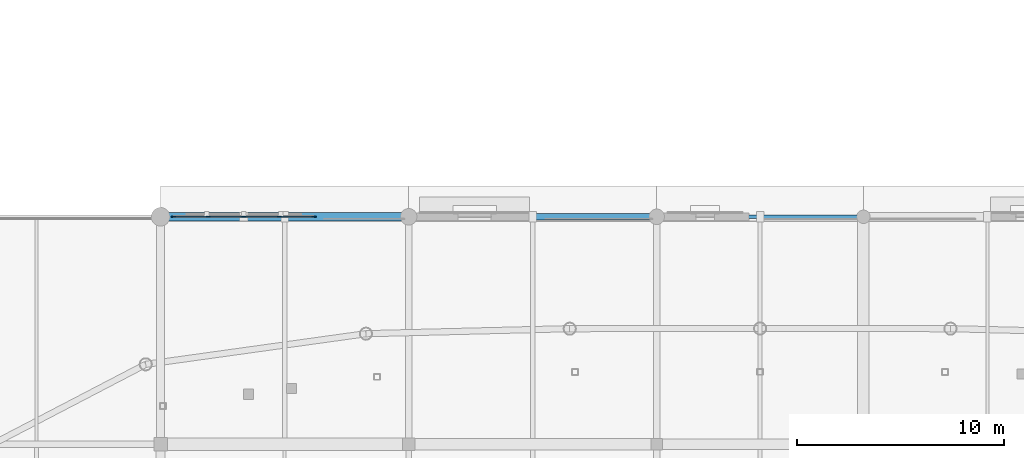
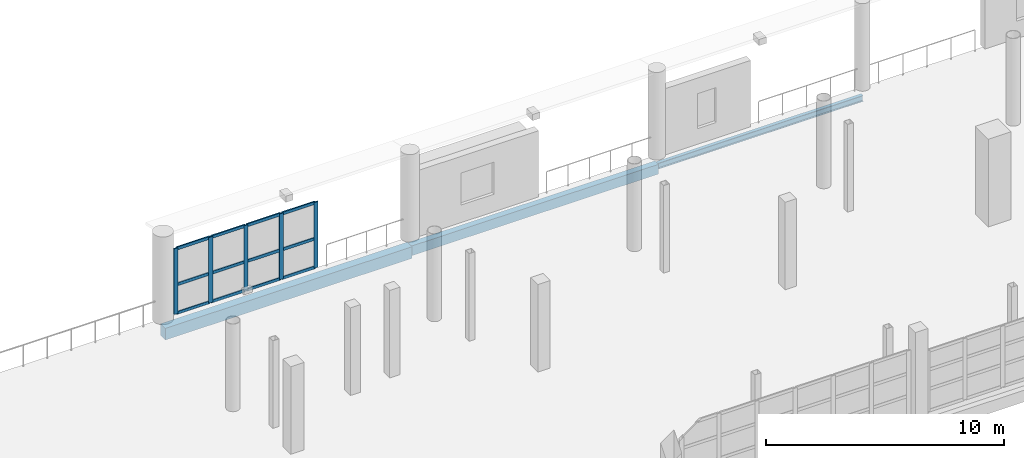
# One storey, part 48 of 118: 17 members, 3 beams, 1 element without a shape of its own.
"""IFC4 building model written with IfcOpenShell, lengths in metres."""

from ifc_helpers import new_model, si_unit, direction, frame, origin, origin_2d, place, context, subcontext, project, spatial, rectangle, hollow_rectangle, i_section, extrude, material, material_profile, profile_set, type_object, element, aggregate, save


model = new_model("IFC4")

# Units and contexts
model_context = context("Model", 3, precision=1e-05, world=origin(), true_north=direction((0.0, 1.0)))
body_context = subcontext(model_context, "Body", "Model", "MODEL_VIEW")
ifc_project = project(units=[si_unit("LENGTHUNIT", "METRE"), si_unit("AREAUNIT", "SQUARE_METRE"), si_unit("VOLUMEUNIT", "CUBIC_METRE"), si_unit("PLANEANGLEUNIT", "RADIAN"), si_unit("MASSUNIT", "GRAM", prefix="KILO")], contexts=[model_context])

# Site, building, storey
site_placement = place(None, origin())
site = spatial("IfcSite", under=ifc_project, at=site_placement, CompositionType="ELEMENT")
building_placement = place(site_placement, origin())
building = spatial("IfcBuilding", under=site, at=building_placement, Name="Luwafu Chhajja Arena", CompositionType="ELEMENT")
storey_placement = place(building_placement, frame((0.0, 0.0, 10.199951171875)))
storey = spatial("IfcBuildingStorey", under=building, at=storey_placement, Name="L02", CompositionType="ELEMENT", Elevation=10.199951171875)

# Curtain wall, members
ifc_material_1 = material(Name="Anodised bronze aluminium", Category="aluminium")
curtain_wall_type = type_object("IfcCurtainWallType", Name="VIP Club Terrace Curtain Wall", PredefinedType="USERDEFINED", material=ifc_material_1)
curtain_wall_placement = place(storey_placement, origin())
curtain_wall = element("IfcCurtainWall", 1, at=curtain_wall_placement, inside=storey, type_object=curtain_wall_type, Name="L02 Curtain Wall CWG-L02-H06_09", ObjectType="CURTAIN WALL", PredefinedType="USERDEFINED")
ifc_material_profile_1 = material_profile(ifc_material_1, rectangle(XDim=0.06494140625, YDim=0.199951171875, at=origin_2d()), Name="CWM 65x200")
ifc_profile_set_1 = profile_set([ifc_material_profile_1], Name="Anodised bronze aluminium")
member_type_1 = type_object("IfcMemberType", Name="Bronze Curtain Wall Mullion 65x200", PredefinedType="MULLION", material=ifc_profile_set_1)
member_1_placement = place(storey_placement, frame((70.62255859375, 99.0, 0.030029296875), z_axis=(0.0, 0.0, 1.0), x_axis=(0.0, 1.0, 0.0)))
member_1 = element("IfcMember", 2, at=member_1_placement, type_object=member_type_1, Name="CW-10 mullion 1", PredefinedType="MULLION", context=body_context, shape_type="SweptSolid", body=[
    extrude(rectangle(XDim=0.06494140625, YDim=0.199951171875, at=origin_2d()), origin(), (0.0, 0.0, 1.0), 3.375),
])
member_2_placement = place(storey_placement, frame((72.306884765625, 99.0, 0.030029296875), z_axis=(0.0, 0.0, 1.0), x_axis=(0.0, 1.0, 0.0)))
member_2 = element("IfcMember", 3, at=member_2_placement, type_object=member_type_1, Name="CW-10 mullion 2", PredefinedType="MULLION", context=body_context, shape_type="SweptSolid", body=[
    extrude(rectangle(XDim=0.06494140625, YDim=0.199951171875, at=origin_2d()), origin(), (0.0, 0.0, 1.0), 3.375),
])
member_3_placement = place(storey_placement, frame((74.023681640625, 99.0, 0.030029296875), z_axis=(0.0, 0.0, 1.0), x_axis=(0.0, 1.0, 0.0)))
member_3 = element("IfcMember", 4, at=member_3_placement, type_object=member_type_1, Name="CW-10 mullion 3", PredefinedType="MULLION", context=body_context, shape_type="SweptSolid", body=[
    extrude(rectangle(XDim=0.06494140625, YDim=0.199951171875, at=origin_2d()), origin(), (0.0, 0.0, 1.0), 3.375),
])
member_4_placement = place(storey_placement, frame((75.74072265625, 99.0, 0.030029296875), z_axis=(0.0, 0.0, 1.0), x_axis=(0.0, 1.0, 0.0)))
member_4 = element("IfcMember", 5, at=member_4_placement, type_object=member_type_1, Name="CW-10 mullion 4", PredefinedType="MULLION", context=body_context, shape_type="SweptSolid", body=[
    extrude(rectangle(XDim=0.06494140625, YDim=0.199951171875, at=origin_2d()), origin(), (0.0, 0.0, 1.0), 3.375),
])
member_5_placement = place(storey_placement, frame((77.425048828125, 99.0, 0.030029296875), z_axis=(0.0, 0.0, 1.0), x_axis=(0.0, 1.0, 0.0)))
member_5 = element("IfcMember", 6, at=member_5_placement, type_object=member_type_1, Name="CW-10 mullion 5", PredefinedType="MULLION", context=body_context, shape_type="SweptSolid", body=[
    extrude(rectangle(XDim=0.06494140625, YDim=0.199951171875, at=origin_2d()), origin(), (0.0, 0.0, 1.0), 3.375),
])
ifc_material_profile_2 = material_profile(ifc_material_1, rectangle(XDim=0.06494140625, YDim=0.14990234375, at=origin_2d()), Name="CWT 65x150")
ifc_profile_set_2 = profile_set([ifc_material_profile_2], Name="Anodised bronze aluminium")
member_type_2 = type_object("IfcMemberType", Name="Bronze Curtain Wall Transom 65x150", PredefinedType="USERDEFINED", material=ifc_profile_set_2)
member_6_placement = place(storey_placement, frame((70.655029296875, 99.0, 0.0625), z_axis=(1.0, 0.0, 0.0), x_axis=(0.0, 1.0, 0.0)))
member_6 = element("IfcMember", 7, at=member_6_placement, type_object=member_type_2, Name="CW-10 transom 1.1", ObjectType="TRANSOM", PredefinedType="USERDEFINED", context=body_context, shape_type="SweptSolid", body=[
    extrude(rectangle(XDim=0.06494140625, YDim=0.14990234375, at=origin_2d()), origin(), (0.0, 0.0, 1.0), 1.619384765625),
])
member_7_placement = place(storey_placement, frame((70.655029296875, 99.0, 1.532470703125), z_axis=(1.0, 0.0, 0.0), x_axis=(0.0, 1.0, 0.0)))
member_7 = element("IfcMember", 8, at=member_7_placement, type_object=member_type_2, Name="CW-10 transom 1.2", ObjectType="TRANSOM", PredefinedType="USERDEFINED", context=body_context, shape_type="SweptSolid", body=[
    extrude(rectangle(XDim=0.06494140625, YDim=0.14990234375, at=origin_2d()), origin(), (0.0, 0.0, 1.0), 1.619384765625),
])
member_8_placement = place(storey_placement, frame((70.655029296875, 99.0, 3.37255859375), z_axis=(1.0, 0.0, 0.0), x_axis=(0.0, 1.0, 0.0)))
member_8 = element("IfcMember", 9, at=member_8_placement, type_object=member_type_2, Name="CW-10 transom 1.3", ObjectType="TRANSOM", PredefinedType="USERDEFINED", context=body_context, shape_type="SweptSolid", body=[
    extrude(rectangle(XDim=0.06494140625, YDim=0.14990234375, at=origin_2d()), origin(), (0.0, 0.0, 1.0), 1.619384765625),
])
member_9_placement = place(storey_placement, frame((72.33935546875, 99.0, 0.0625), z_axis=(1.0, 0.0, 0.0), x_axis=(0.0, 1.0, 0.0)))
member_9 = element("IfcMember", 10, at=member_9_placement, type_object=member_type_2, Name="CW-10 transom 2.1", ObjectType="TRANSOM", PredefinedType="USERDEFINED", context=body_context, shape_type="SweptSolid", body=[
    extrude(rectangle(XDim=0.06494140625, YDim=0.14990234375, at=origin_2d()), origin(), (0.0, 0.0, 1.0), 1.65185546875),
])
member_10_placement = place(storey_placement, frame((72.33935546875, 99.0, 1.532470703125), z_axis=(1.0, 0.0, 0.0), x_axis=(0.0, 1.0, 0.0)))
member_10 = element("IfcMember", 11, at=member_10_placement, type_object=member_type_2, Name="CW-10 transom 2.2", ObjectType="TRANSOM", PredefinedType="USERDEFINED", context=body_context, shape_type="SweptSolid", body=[
    extrude(rectangle(XDim=0.06494140625, YDim=0.14990234375, at=origin_2d()), origin(), (0.0, 0.0, 1.0), 1.65185546875),
])
member_11_placement = place(storey_placement, frame((72.33935546875, 99.0, 3.37255859375), z_axis=(1.0, 0.0, 0.0), x_axis=(0.0, 1.0, 0.0)))
member_11 = element("IfcMember", 12, at=member_11_placement, type_object=member_type_2, Name="CW-10 transom 2.3", ObjectType="TRANSOM", PredefinedType="USERDEFINED", context=body_context, shape_type="SweptSolid", body=[
    extrude(rectangle(XDim=0.06494140625, YDim=0.14990234375, at=origin_2d()), origin(), (0.0, 0.0, 1.0), 1.65185546875),
])
member_12_placement = place(storey_placement, frame((74.05615234375, 99.0, 0.0625), z_axis=(1.0, 0.0, 0.0), x_axis=(0.0, 1.0, 0.0)))
member_12 = element("IfcMember", 13, at=member_12_placement, type_object=member_type_2, Name="CW-10 transom 3.1", ObjectType="TRANSOM", PredefinedType="USERDEFINED", context=body_context, shape_type="SweptSolid", body=[
    extrude(rectangle(XDim=0.06494140625, YDim=0.14990234375, at=origin_2d()), origin(), (0.0, 0.0, 1.0), 1.65185546875),
])
member_13_placement = place(storey_placement, frame((74.05615234375, 99.0, 1.532470703125), z_axis=(1.0, 0.0, 0.0), x_axis=(0.0, 1.0, 0.0)))
member_13 = element("IfcMember", 14, at=member_13_placement, type_object=member_type_2, Name="CW-10 transom 3.2", ObjectType="TRANSOM", PredefinedType="USERDEFINED", context=body_context, shape_type="SweptSolid", body=[
    extrude(rectangle(XDim=0.06494140625, YDim=0.14990234375, at=origin_2d()), origin(), (0.0, 0.0, 1.0), 1.65185546875),
])
member_14_placement = place(storey_placement, frame((74.05615234375, 99.0, 3.37255859375), z_axis=(1.0, 0.0, 0.0), x_axis=(0.0, 1.0, 0.0)))
member_14 = element("IfcMember", 15, at=member_14_placement, type_object=member_type_2, Name="CW-10 transom 3.3", ObjectType="TRANSOM", PredefinedType="USERDEFINED", context=body_context, shape_type="SweptSolid", body=[
    extrude(rectangle(XDim=0.06494140625, YDim=0.14990234375, at=origin_2d()), origin(), (0.0, 0.0, 1.0), 1.65185546875),
])
member_15_placement = place(storey_placement, frame((75.773193359375, 99.0, 0.0625), z_axis=(1.0, 0.0, 0.0), x_axis=(0.0, 1.0, 0.0)))
member_15 = element("IfcMember", 16, at=member_15_placement, type_object=member_type_2, Name="CW-10 transom 4.1", ObjectType="TRANSOM", PredefinedType="USERDEFINED", context=body_context, shape_type="SweptSolid", body=[
    extrude(rectangle(XDim=0.06494140625, YDim=0.14990234375, at=origin_2d()), origin(), (0.0, 0.0, 1.0), 1.619384765625),
])
member_16_placement = place(storey_placement, frame((75.773193359375, 99.0, 1.532470703125), z_axis=(1.0, 0.0, 0.0), x_axis=(0.0, 1.0, 0.0)))
member_16 = element("IfcMember", 17, at=member_16_placement, type_object=member_type_2, Name="CW-10 transom 4.2", ObjectType="TRANSOM", PredefinedType="USERDEFINED", context=body_context, shape_type="SweptSolid", body=[
    extrude(rectangle(XDim=0.06494140625, YDim=0.14990234375, at=origin_2d()), origin(), (0.0, 0.0, 1.0), 1.619384765625),
])
member_17_placement = place(storey_placement, frame((75.773193359375, 99.0, 3.37255859375), z_axis=(1.0, 0.0, 0.0), x_axis=(0.0, 1.0, 0.0)))
member_17 = element("IfcMember", 18, at=member_17_placement, type_object=member_type_2, Name="CW-10 transom 4.3", ObjectType="TRANSOM", PredefinedType="USERDEFINED", context=body_context, shape_type="SweptSolid", body=[
    extrude(rectangle(XDim=0.06494140625, YDim=0.14990234375, at=origin_2d()), origin(), (0.0, 0.0, 1.0), 1.619384765625),
])
aggregate(curtain_wall, [member_1, member_2, member_3, member_4, member_5, member_6, member_7, member_8, member_9, member_10, member_11, member_12, member_13, member_14, member_15, member_16, member_17])

# Beams
ifc_material_2 = material(Name="Steel S355", Category="steel")
ifc_material_profile_3 = material_profile(ifc_material_2, i_section(OverallWidth=0.165771484375, OverallDepth=0.306640625, WebThickness=0.006591796875, FlangeThickness=0.01171875, at=origin_2d()), Name="UB 305x165x46")
ifc_profile_set_3 = profile_set([ifc_material_profile_3], Name="Steel S355")
beam_type_1 = type_object("IfcBeamType", Name="Concourse Edge Spandrel Beam UB 305x165x46", PredefinedType="SPANDREL", material=ifc_profile_set_3)
beam_1_placement = place(storey_placement, frame((94.0, 99.0, -0.543212890625), z_axis=(1.0, 0.0, 0.0), x_axis=(0.0, 1.0, 0.0)))
element("IfcBeam", 19, at=beam_1_placement, inside=storey, type_object=beam_type_1, Name="L02 Grid Beam 9-10/K", PredefinedType="SPANDREL", context=body_context, shape_type="SweptSolid", body=[
    extrude(i_section(OverallWidth=0.165771484375, OverallDepth=0.306640625, WebThickness=0.006591796875, FlangeThickness=0.01171875, at=origin_2d()), origin(), (0.0, 0.0, 1.0), 10.0),
])
ifc_material_profile_4 = material_profile(ifc_material_2, hollow_rectangle(XDim=0.300048828125, YDim=0.5, WallThickness=0.02001953125, at=origin_2d()), Name="RHS 500x300x20")
ifc_profile_set_4 = profile_set([ifc_material_profile_4], Name="Steel S355")
beam_type_2 = type_object("IfcBeamType", Name="Pleated Drum Spandrel Beam RHS 500x300", PredefinedType="SPANDREL", material=ifc_profile_set_4)
beam_2_placement = place(storey_placement, frame((82.0, 99.0, -0.639892578125), z_axis=(1.0, 0.0, 0.0), x_axis=(0.0, 1.0, 0.0)))
element("IfcBeam", 20, at=beam_2_placement, inside=storey, type_object=beam_type_2, Name="L02 Grid Beam 8-9/K", PredefinedType="SPANDREL", context=body_context, shape_type="SweptSolid", body=[
    extrude(hollow_rectangle(XDim=0.300048828125, YDim=0.5, WallThickness=0.02001953125, at=origin_2d()), origin(), (0.0, 0.0, 1.0), 12.0),
])
ifc_material_3 = material(Name="Concrete C35/45", Category="concrete")
ifc_material_profile_5 = material_profile(ifc_material_3, rectangle(XDim=0.39990234375, YDim=0.60009765625, at=origin_2d()), Name="RC 400x600")
ifc_profile_set_5 = profile_set([ifc_material_profile_5], Name="Concrete C35/45")
beam_type_3 = type_object("IfcBeamType", Name="Podium Perimeter Spandrel RC 400x600", PredefinedType="SPANDREL", material=ifc_profile_set_5)
beam_3_placement = place(storey_placement, frame((70.0, 99.0, -0.68994140625), z_axis=(1.0, 0.0, 0.0), x_axis=(0.0, 1.0, 0.0)))
element("IfcBeam", 21, at=beam_3_placement, inside=storey, type_object=beam_type_3, Name="L02 Grid Beam 7-8/K", PredefinedType="SPANDREL", context=body_context, shape_type="SweptSolid", body=[
    extrude(rectangle(XDim=0.39990234375, YDim=0.60009765625, at=origin_2d()), origin(), (0.0, 0.0, 1.0), 12.0),
])

save(model, "model.ifc")
